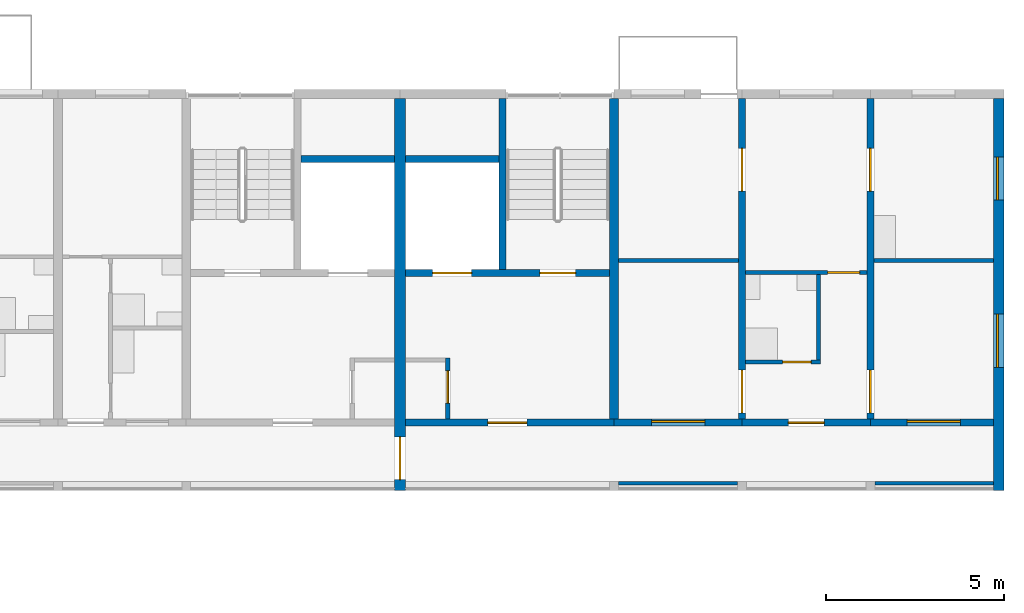
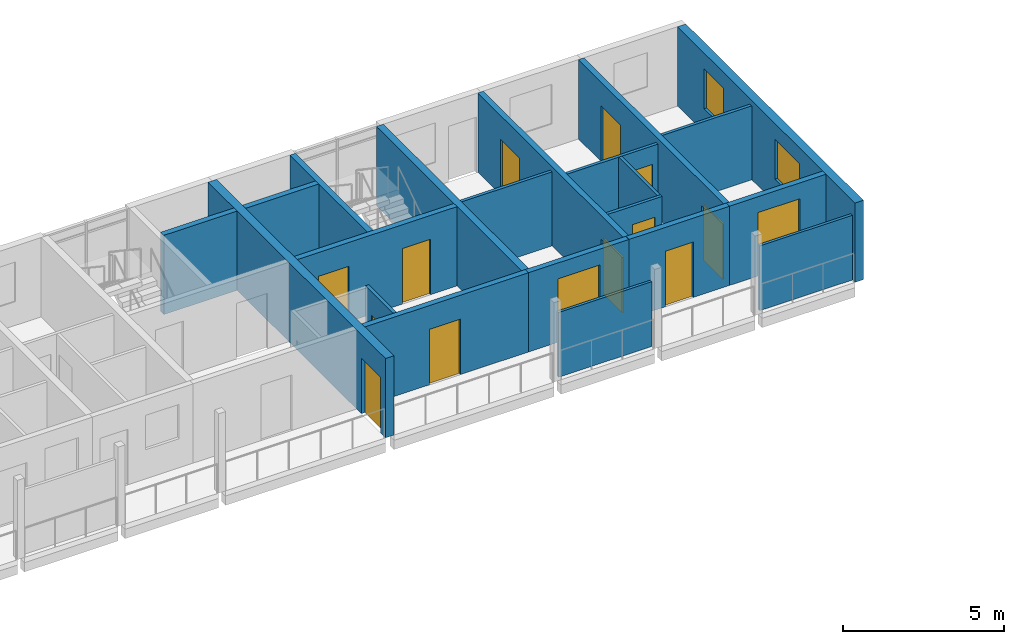
# One storey, part 59 of 100: 21 walls, 12 doors, 4 windows, 16 openings.
"""IFC4 building model written with IfcOpenShell, lengths in metres."""

from ifc_helpers import new_model, si_unit, direction, frame, frame_2d, origin, place, context, subcontext, project, spatial, rectangle, extrude, material, layer, layer_set, type_object, element, fill, save


model = new_model("IFC4")

# Units and contexts
model_context = context("Model", 3, precision=1e-05, world=origin(), true_north=direction((0.0, 1.0)))
body_context = subcontext(model_context, "Body", "Model", "MODEL_VIEW")
ifc_project = project(units=[si_unit("LENGTHUNIT", "METRE"), si_unit("AREAUNIT", "SQUARE_METRE"), si_unit("VOLUMEUNIT", "CUBIC_METRE"), si_unit("PLANEANGLEUNIT", "RADIAN"), si_unit("MASSUNIT", "GRAM", prefix="KILO")], contexts=[model_context])

# Site, building, storey
site_placement = place(None, origin())
site = spatial("IfcSite", under=ifc_project, at=site_placement, CompositionType="ELEMENT")
building_placement = place(site_placement, origin())
building = spatial("IfcBuilding", under=site, at=building_placement, Name="Ridgestep Commons", CompositionType="ELEMENT")
storey_placement = place(building_placement, frame((0.0, 0.0, 9.0)))
storey = spatial("IfcBuildingStorey", under=building, at=storey_placement, Name="L03", CompositionType="ELEMENT", Elevation=9.0)

# Wall
ifc_material_1 = material(Name="Concrete C30/37", Category="concrete")
ifc_layer_1 = layer(ifc_material_1, 0.25)
ifc_layer_set_1 = layer_set([ifc_layer_1], Name="Core cross wall 250")
wall_type_1 = type_object("IfcWallType", Name="Core cross wall 250", PredefinedType="SHEAR", material=ifc_layer_set_1)
wall_1_placement = place(storey_placement, frame((236.800048828125, 68.0, 0.0), z_axis=(0.0, 0.0, 1.0), x_axis=(0.0, 1.0, 0.0)))
element("IfcWall", 1, at=wall_1_placement, inside=storey, type_object=wall_type_1, Name="Cross wall C-03-2368", PredefinedType="SHEAR", context=body_context, shape_type="SweptSolid", body=[
    extrude(rectangle(XDim=9.0, YDim=0.25, at=frame_2d((4.5, 0.0))), origin(), (0.0, 0.0, 1.0), 3.0),
])

# Wall, opening, door
ifc_material_2 = material(Name="Concrete C30/37", Category="concrete")
ifc_layer_2 = layer(ifc_material_2, 0.199951171875)
ifc_layer_set_2 = layer_set([ifc_layer_2], Name="Core south wall 200")
wall_type_2 = type_object("IfcWallType", Name="Core south wall 200", PredefinedType="SHEAR", material=ifc_layer_set_2)
wall_2_placement = place(storey_placement, frame((230.949951171875, 67.89990234375, 0.0), z_axis=(0.0, 0.0, 1.0), x_axis=(1.0, 0.0, 0.0)))
wall_2 = element("IfcWall", 2, at=wall_2_placement, inside=storey, type_object=wall_type_2, Name="Core south wall C6C L03", PredefinedType="SHEAR", context=body_context, shape_type="SweptSolid", body=[
    extrude(rectangle(XDim=5.85009765625, YDim=0.199951171875, at=frame_2d((2.925048828125, 0.0))), origin(), (0.0, 0.0, 1.0), 3.0),
])
opening_1_placement = place(wall_2_placement, frame((2.3125, 0.0, 0.0)))
opening_1 = element("IfcOpeningElement", 3, at=opening_1_placement, cuts=wall_2, Name="Opening C6C/03/1", PredefinedType="OPENING", context=body_context, shape_type="SweptSolid", body=[
    extrude(rectangle(XDim=1.10009765625, YDim=2.10009765625, at=frame_2d((0.550048828125, 1.050048828125))), frame((0.0, 0.10986328125, 0.0), z_axis=(0.0, -1.0, 0.0), x_axis=(1.0, 0.0, 0.0)), (0.0, 0.0, 1.0), 0.219970703125),
])
ifc_material_3 = material(Name="Steel fire door", Category="steel")
door_type_1 = type_object("IfcDoorType", Name="Lobby door 1100 x 2100 FD60", OperationType="NOTDEFINED", PredefinedType="DOOR", material=ifc_material_3)
door_1_placement = place(opening_1_placement, origin())
door_1 = element("IfcDoor", 4, at=door_1_placement, inside=storey, type_object=door_type_1, Name="Lobby door C6C/03/1", OperationType="SINGLE_SWING_LEFT", OverallHeight=2.10009765625, OverallWidth=1.10009765625, PredefinedType="DOOR", context=body_context, shape_type="SweptSolid", body=[
    extrude(rectangle(XDim=1.10009765625, YDim=2.10009765625, at=frame_2d((0.550048828125, 1.050048828125))), frame((0.0, 0.02490234375, 0.0), z_axis=(0.0, -1.0, 0.0), x_axis=(1.0, 0.0, 0.0)), (0.0, 0.0, 1.0), 0.050048828125),
])
fill(opening_1, door_1)

ifc_material_4 = material(Name="Concrete C30/37", Category="concrete")
ifc_layer_3 = layer(ifc_material_4, 0.1201171875)
ifc_layer_set_3 = layer_set([ifc_layer_3], Name="Core wall 120")
wall_type_3 = type_object("IfcWallType", Name="Core wall 120", PredefinedType="SHEAR", material=ifc_layer_set_3)
wall_3_placement = place(storey_placement, frame((232.139892578125, 68.0, 0.0), z_axis=(0.0, 0.0, 1.0), x_axis=(0.0, 1.0, 0.0)))
wall_3 = element("IfcWall", 5, at=wall_3_placement, inside=storey, type_object=wall_type_3, Name="Core riser w wall C6C L03", PredefinedType="SHEAR", context=body_context, shape_type="SweptSolid", body=[
    extrude(rectangle(XDim=1.719970703125, YDim=0.1201171875, at=frame_2d((0.85986328125, 0.0))), origin(), (0.0, 0.0, 1.0), 3.0),
])
opening_2_placement = place(wall_3_placement, frame((0.449951171875, 0.0, 0.0)))
opening_2 = element("IfcOpeningElement", 6, at=opening_2_placement, cuts=wall_3, Name="Opening C6C/03/4", PredefinedType="OPENING", context=body_context, shape_type="SweptSolid", body=[
    extrude(rectangle(XDim=0.89990234375, YDim=2.10009765625, at=frame_2d((0.449951171875, 1.050048828125))), frame((0.0, 0.070068359375, 0.0), z_axis=(0.0, -1.0, 0.0), x_axis=(1.0, 0.0, 0.0)), (0.0, 0.0, 1.0), 0.14013671875),
])
ifc_material_5 = material(Name="Steel fire door", Category="steel")
door_type_2 = type_object("IfcDoorType", Name="Riser door 900 x 2100 FD60", OperationType="NOTDEFINED", PredefinedType="DOOR", material=ifc_material_5)
door_2_placement = place(opening_2_placement, origin())
door_2 = element("IfcDoor", 7, at=door_2_placement, inside=storey, type_object=door_type_2, Name="Riser door C6C/03/4", OperationType="SINGLE_SWING_RIGHT", OverallHeight=2.10009765625, OverallWidth=0.89990234375, PredefinedType="DOOR", context=body_context, shape_type="SweptSolid", body=[
    extrude(rectangle(XDim=0.89990234375, YDim=2.10009765625, at=frame_2d((0.449951171875, 1.050048828125))), frame((0.0, 0.02490234375, 0.0), z_axis=(0.0, -1.0, 0.0), x_axis=(1.0, 0.0, 0.0)), (0.0, 0.0, 1.0), 0.050048828125),
])
fill(opening_2, door_2)

# Wall
ifc_material_6 = material(Name="Concrete C30/37", Category="concrete")
ifc_layer_4 = layer(ifc_material_6, 0.199951171875)
ifc_layer_set_4 = layer_set([ifc_layer_4], Name="Core wall 200")
wall_type_4 = type_object("IfcWallType", Name="Core wall 200", PredefinedType="SHEAR", material=ifc_layer_set_4)
wall_4_placement = place(storey_placement, frame((228.02490234375, 75.300048828125, 0.0), z_axis=(0.0, 0.0, 1.0), x_axis=(1.0, 0.0, 0.0)))
element("IfcWall", 8, at=wall_4_placement, inside=storey, type_object=wall_type_4, Name="Core duct wall C5C L03", PredefinedType="SHEAR", context=body_context, shape_type="SweptSolid", body=[
    extrude(rectangle(XDim=2.625, YDim=0.199951171875, at=frame_2d((1.3125, 0.0))), origin(), (0.0, 0.0, 1.0), 3.0),
])

# Wall, openings, doors
wall_5_placement = place(storey_placement, frame((230.949951171875, 72.10009765625, 0.0), z_axis=(0.0, 0.0, 1.0), x_axis=(1.0, 0.0, 0.0)))
wall_5 = element("IfcWall", 9, at=wall_5_placement, inside=storey, type_object=wall_type_4, Name="Core lobby wall C6C L03", PredefinedType="SHEAR", context=body_context, shape_type="SweptSolid", body=[
    extrude(rectangle(XDim=5.72509765625, YDim=0.199951171875, at=frame_2d((2.862548828125, 0.0))), origin(), (0.0, 0.0, 1.0), 3.0),
])
opening_3_placement = place(wall_5_placement, frame((3.77490234375, 0.0, 0.0)))
opening_3 = element("IfcOpeningElement", 10, at=opening_3_placement, cuts=wall_5, Name="Opening C6C/03/2", PredefinedType="OPENING", context=body_context, shape_type="SweptSolid", body=[
    extrude(rectangle(XDim=1.0, YDim=2.10009765625, at=frame_2d((0.5, 1.050048828125))), frame((0.0, 0.10986328125, 0.0), z_axis=(0.0, -1.0, 0.0), x_axis=(1.0, 0.0, 0.0)), (0.0, 0.0, 1.0), 0.219970703125),
])
opening_4_placement = place(wall_5_placement, frame((0.762451171875, 0.0, 0.0)))
opening_4 = element("IfcOpeningElement", 11, at=opening_4_placement, cuts=wall_5, Name="Opening C6C/03/3", PredefinedType="OPENING", context=body_context, shape_type="SweptSolid", body=[
    extrude(rectangle(XDim=1.10009765625, YDim=2.10009765625, at=frame_2d((0.550048828125, 1.050048828125))), frame((0.0, 0.10986328125, 0.0), z_axis=(0.0, -1.0, 0.0), x_axis=(1.0, 0.0, 0.0)), (0.0, 0.0, 1.0), 0.219970703125),
])
ifc_material_7 = material(Name="Stainless steel", Category="steel")
door_type_3 = type_object("IfcDoorType", Name="Lift landing door 1100 x 2100 FD60", OperationType="DOUBLE_DOOR_SLIDING", PredefinedType="DOOR", material=ifc_material_7)
door_3_placement = place(opening_4_placement, origin())
door_3 = element("IfcDoor", 12, at=door_3_placement, inside=storey, type_object=door_type_3, Name="Landing door LD C6C L03", OperationType="DOUBLE_DOOR_SLIDING", OverallHeight=2.10009765625, OverallWidth=1.10009765625, PredefinedType="DOOR", context=body_context, shape_type="SweptSolid", body=[
    extrude(rectangle(XDim=1.10009765625, YDim=2.10009765625, at=frame_2d((0.550048828125, 1.050048828125))), frame((0.0, 0.02490234375, 0.0), z_axis=(0.0, -1.0, 0.0), x_axis=(1.0, 0.0, 0.0)), (0.0, 0.0, 1.0), 0.050048828125),
])
fill(opening_4, door_3)
ifc_material_8 = material(Name="Steel fire door", Category="steel")
door_type_4 = type_object("IfcDoorType", Name="Stair door 1000 x 2100 FD60", OperationType="NOTDEFINED", PredefinedType="DOOR", material=ifc_material_8)
door_4_placement = place(opening_3_placement, origin())
door_4 = element("IfcDoor", 13, at=door_4_placement, inside=storey, type_object=door_type_4, Name="Stair door C6C/03/2", OperationType="SINGLE_SWING_RIGHT", OverallHeight=2.10009765625, OverallWidth=1.0, PredefinedType="DOOR", context=body_context, shape_type="SweptSolid", body=[
    extrude(rectangle(XDim=1.0, YDim=2.10009765625, at=frame_2d((0.5, 1.050048828125))), frame((0.0, 0.02490234375, 0.0), z_axis=(0.0, -1.0, 0.0), x_axis=(1.0, 0.0, 0.0)), (0.0, 0.0, 1.0), 0.050048828125),
])
fill(opening_3, door_4)

# Walls
wall_6_placement = place(storey_placement, frame((233.675048828125, 72.199951171875, 0.0), z_axis=(0.0, 0.0, 1.0), x_axis=(0.0, 1.0, 0.0)))
element("IfcWall", 14, at=wall_6_placement, inside=storey, type_object=wall_type_4, Name="Core stair wall C6C L03", PredefinedType="SHEAR", context=body_context, shape_type="SweptSolid", body=[
    extrude(rectangle(XDim=4.800048828125, YDim=0.199951171875, at=frame_2d((2.39990234375, 0.0))), origin(), (0.0, 0.0, 1.0), 3.0),
])
wall_7_placement = place(storey_placement, frame((230.949951171875, 75.300048828125, 0.0), z_axis=(0.0, 0.0, 1.0), x_axis=(1.0, 0.0, 0.0)))
element("IfcWall", 15, at=wall_7_placement, inside=storey, type_object=wall_type_4, Name="Core duct wall C6C L03", PredefinedType="SHEAR", context=body_context, shape_type="SweptSolid", body=[
    extrude(rectangle(XDim=2.625, YDim=0.199951171875, at=frame_2d((1.3125, 0.0))), origin(), (0.0, 0.0, 1.0), 3.0),
])

# Wall, openings, doors
ifc_material_9 = material(Name="Precast concrete C40/50", Category="concrete")
ifc_layer_5 = layer(ifc_material_9, 0.199951171875)
ifc_layer_set_5 = layer_set([ifc_layer_5], Name="Cross wall 200")
wall_type_5 = type_object("IfcWallType", Name="Cross wall 200", PredefinedType="SHEAR", material=ifc_layer_set_5)
wall_8_placement = place(storey_placement, frame((240.39990234375, 68.0, 0.0), z_axis=(0.0, 0.0, 1.0), x_axis=(0.0, 1.0, 0.0)))
wall_8 = element("IfcWall", 16, at=wall_8_placement, inside=storey, type_object=wall_type_5, Name="Cross wall C-03-2404", PredefinedType="SHEAR", context=body_context, shape_type="SweptSolid", body=[
    extrude(rectangle(XDim=9.0, YDim=0.199951171875, at=frame_2d((4.5, 0.0))), origin(), (0.0, 0.0, 1.0), 3.0),
])
opening_5_placement = place(wall_8_placement, frame((0.175048828125, 0.0, 0.0)))
opening_5 = element("IfcOpeningElement", 17, at=opening_5_placement, cuts=wall_8, Name="Opening C6-03a/4", PredefinedType="OPENING", context=body_context, shape_type="SweptSolid", body=[
    extrude(rectangle(XDim=1.199951171875, YDim=2.10009765625, at=frame_2d((0.60009765625, 1.050048828125))), frame((0.0, 0.10986328125, 0.0), z_axis=(0.0, -1.0, 0.0), x_axis=(1.0, 0.0, 0.0)), (0.0, 0.0, 1.0), 0.219970703125),
])
opening_6_placement = place(wall_8_placement, frame((6.39990234375, 0.0, 0.0)))
opening_6 = element("IfcOpeningElement", 18, at=opening_6_placement, cuts=wall_8, Name="Opening C6-03a/5", PredefinedType="OPENING", context=body_context, shape_type="SweptSolid", body=[
    extrude(rectangle(XDim=1.199951171875, YDim=2.10009765625, at=frame_2d((0.60009765625, 1.050048828125))), frame((0.0, 0.10986328125, 0.0), z_axis=(0.0, -1.0, 0.0), x_axis=(1.0, 0.0, 0.0)), (0.0, 0.0, 1.0), 0.219970703125),
])
ifc_material_10 = material(Name="Timber door leaf", Category="wood")
door_type_5 = type_object("IfcDoorType", Name="Double door 1200 x 2100", OperationType="DOUBLE_DOOR_SINGLE_SWING", PredefinedType="DOOR", material=ifc_material_10)
door_5_placement = place(opening_5_placement, origin())
door_5 = element("IfcDoor", 19, at=door_5_placement, inside=storey, type_object=door_type_5, Name="Double door C6-03a/4", OperationType="DOUBLE_DOOR_SINGLE_SWING", OverallHeight=2.10009765625, OverallWidth=1.199951171875, PredefinedType="DOOR", context=body_context, shape_type="SweptSolid", body=[
    extrude(rectangle(XDim=1.199951171875, YDim=2.10009765625, at=frame_2d((0.60009765625, 1.050048828125))), frame((0.0, 0.02490234375, 0.0), z_axis=(0.0, -1.0, 0.0), x_axis=(1.0, 0.0, 0.0)), (0.0, 0.0, 1.0), 0.050048828125),
])
fill(opening_5, door_5)
door_6_placement = place(opening_6_placement, origin())
door_6 = element("IfcDoor", 20, at=door_6_placement, inside=storey, type_object=door_type_5, Name="Double door C6-03a/5", OperationType="DOUBLE_DOOR_SINGLE_SWING", OverallHeight=2.10009765625, OverallWidth=1.199951171875, PredefinedType="DOOR", context=body_context, shape_type="SweptSolid", body=[
    extrude(rectangle(XDim=1.199951171875, YDim=2.10009765625, at=frame_2d((0.60009765625, 1.050048828125))), frame((0.0, 0.02490234375, 0.0), z_axis=(0.0, -1.0, 0.0), x_axis=(1.0, 0.0, 0.0)), (0.0, 0.0, 1.0), 0.050048828125),
])
fill(opening_6, door_6)

wall_9_placement = place(storey_placement, frame((244.0, 68.0, 0.0), z_axis=(0.0, 0.0, 1.0), x_axis=(0.0, 1.0, 0.0)))
wall_9 = element("IfcWall", 21, at=wall_9_placement, inside=storey, type_object=wall_type_5, Name="Cross wall C-03-2440", PredefinedType="SHEAR", context=body_context, shape_type="SweptSolid", body=[
    extrude(rectangle(XDim=9.0, YDim=0.199951171875, at=frame_2d((4.5, 0.0))), origin(), (0.0, 0.0, 1.0), 3.0),
])
opening_7_placement = place(wall_9_placement, frame((0.175048828125, 0.0, 0.0)))
opening_7 = element("IfcOpeningElement", 22, at=opening_7_placement, cuts=wall_9, Name="Opening C6-03a/6", PredefinedType="OPENING", context=body_context, shape_type="SweptSolid", body=[
    extrude(rectangle(XDim=1.199951171875, YDim=2.10009765625, at=frame_2d((0.60009765625, 1.050048828125))), frame((0.0, 0.10986328125, 0.0), z_axis=(0.0, -1.0, 0.0), x_axis=(1.0, 0.0, 0.0)), (0.0, 0.0, 1.0), 0.219970703125),
])
opening_8_placement = place(wall_9_placement, frame((6.39990234375, 0.0, 0.0)))
opening_8 = element("IfcOpeningElement", 23, at=opening_8_placement, cuts=wall_9, Name="Opening C6-03a/7", PredefinedType="OPENING", context=body_context, shape_type="SweptSolid", body=[
    extrude(rectangle(XDim=1.199951171875, YDim=2.10009765625, at=frame_2d((0.60009765625, 1.050048828125))), frame((0.0, 0.10986328125, 0.0), z_axis=(0.0, -1.0, 0.0), x_axis=(1.0, 0.0, 0.0)), (0.0, 0.0, 1.0), 0.219970703125),
])
door_7_placement = place(opening_7_placement, origin())
door_7 = element("IfcDoor", 24, at=door_7_placement, inside=storey, type_object=door_type_5, Name="Double door C6-03a/6", OperationType="DOUBLE_DOOR_SINGLE_SWING", OverallHeight=2.10009765625, OverallWidth=1.199951171875, PredefinedType="DOOR", context=body_context, shape_type="SweptSolid", body=[
    extrude(rectangle(XDim=1.199951171875, YDim=2.10009765625, at=frame_2d((0.60009765625, 1.050048828125))), frame((0.0, 0.02490234375, 0.0), z_axis=(0.0, -1.0, 0.0), x_axis=(1.0, 0.0, 0.0)), (0.0, 0.0, 1.0), 0.050048828125),
])
fill(opening_7, door_7)
door_8_placement = place(opening_8_placement, origin())
door_8 = element("IfcDoor", 25, at=door_8_placement, inside=storey, type_object=door_type_5, Name="Double door C6-03a/7", OperationType="DOUBLE_DOOR_SINGLE_SWING", OverallHeight=2.10009765625, OverallWidth=1.199951171875, PredefinedType="DOOR", context=body_context, shape_type="SweptSolid", body=[
    extrude(rectangle(XDim=1.199951171875, YDim=2.10009765625, at=frame_2d((0.60009765625, 1.050048828125))), frame((0.0, 0.02490234375, 0.0), z_axis=(0.0, -1.0, 0.0), x_axis=(1.0, 0.0, 0.0)), (0.0, 0.0, 1.0), 0.050048828125),
])
fill(opening_8, door_8)

# Wall, opening, door
ifc_material_11 = material(Name="Precast concrete C40/50", Category="concrete")
ifc_layer_6 = layer(ifc_material_11, 0.300048828125)
ifc_layer_set_6 = layer_set([ifc_layer_6], Name="Division wall 300")
wall_type_6 = type_object("IfcWallType", Name="Division wall 300", PredefinedType="SHEAR", material=ifc_layer_set_6)
wall_10_placement = place(storey_placement, frame((230.800048828125, 66.0, 0.0), z_axis=(0.0, 0.0, 1.0), x_axis=(0.0, 1.0, 0.0)))
wall_10 = element("IfcWall", 26, at=wall_10_placement, inside=storey, type_object=wall_type_6, Name="Cross wall C-03-2308", PredefinedType="SHEAR", context=body_context, shape_type="SweptSolid", body=[
    extrude(rectangle(XDim=11.0, YDim=0.300048828125, at=frame_2d((5.5, 0.0))), origin(), (0.0, 0.0, 1.0), 3.0),
])
opening_9_placement = place(wall_10_placement, frame((0.300048828125, 0.0, 0.0)))
opening_9 = element("IfcOpeningElement", 27, at=opening_9_placement, cuts=wall_10, Name="Opening C/03/G2308", PredefinedType="OPENING", context=body_context, shape_type="SweptSolid", body=[
    extrude(rectangle(XDim=1.199951171875, YDim=2.10009765625, at=frame_2d((0.60009765625, 1.050048828125))), frame((0.0, 0.159912109375, 0.0), z_axis=(0.0, -1.0, 0.0), x_axis=(1.0, 0.0, 0.0)), (0.0, 0.0, 1.0), 0.320068359375),
])
ifc_material_12 = material(Name="Steel fire door", Category="steel")
door_type_6 = type_object("IfcDoorType", Name="Division fire door 1200 x 2100 EI 240", OperationType="DOUBLE_DOOR_SINGLE_SWING", PredefinedType="DOOR", material=ifc_material_12)
door_9_placement = place(opening_9_placement, origin())
door_9 = element("IfcDoor", 28, at=door_9_placement, inside=storey, type_object=door_type_6, Name="Division fire door C/03/G2308", OperationType="DOUBLE_DOOR_SINGLE_SWING", OverallHeight=2.10009765625, OverallWidth=1.199951171875, PredefinedType="DOOR", context=body_context, shape_type="SweptSolid", body=[
    extrude(rectangle(XDim=1.199951171875, YDim=2.10009765625, at=frame_2d((0.60009765625, 1.050048828125))), frame((0.0, 0.02490234375, 0.0), z_axis=(0.0, -1.0, 0.0), x_axis=(1.0, 0.0, 0.0)), (0.0, 0.0, 1.0), 0.050048828125),
])
fill(opening_9, door_9)

# Wall, openings, windows
ifc_material_13 = material(Name="Precast concrete C40/50", Category="concrete")
ifc_layer_7 = layer(ifc_material_13, 0.300048828125)
ifc_layer_set_7 = layer_set([ifc_layer_7], Name="Exposed division wall 300")
wall_type_7 = type_object("IfcWallType", Name="Exposed division wall 300", PredefinedType="SHEAR", material=ifc_layer_set_7)
wall_11_placement = place(storey_placement, frame((247.60009765625, 66.0, 0.0), z_axis=(0.0, 0.0, 1.0), x_axis=(0.0, 1.0, 0.0)))
wall_11 = element("IfcWall", 29, at=wall_11_placement, inside=storey, type_object=wall_type_7, Name="Cross wall C-03-2476", PredefinedType="SHEAR", context=body_context, shape_type="SweptSolid", body=[
    extrude(rectangle(XDim=11.0, YDim=0.300048828125, at=frame_2d((5.5, 0.0))), origin(), (0.0, 0.0, 1.0), 3.0),
])
opening_10_placement = place(wall_11_placement, frame((3.449951171875, 0.0, 0.89990234375)))
opening_10 = element("IfcOpeningElement", 30, at=opening_10_placement, cuts=wall_11, Name="Opening W16", PredefinedType="OPENING", context=body_context, shape_type="SweptSolid", body=[
    extrude(rectangle(XDim=1.5, YDim=1.5, at=frame_2d((0.75, 0.75))), frame((0.0, 0.159912109375, 0.0), z_axis=(0.0, -1.0, 0.0), x_axis=(1.0, 0.0, 0.0)), (0.0, 0.0, 1.0), 0.320068359375),
])
opening_11_placement = place(wall_11_placement, frame((8.155029296875, 0.0, 0.89990234375)))
opening_11 = element("IfcOpeningElement", 31, at=opening_11_placement, cuts=wall_11, Name="Opening W10", PredefinedType="OPENING", context=body_context, shape_type="SweptSolid", body=[
    extrude(rectangle(XDim=1.199951171875, YDim=1.5, at=frame_2d((0.60009765625, 0.75))), frame((0.0, 0.159912109375, 0.0), z_axis=(0.0, -1.0, 0.0), x_axis=(1.0, 0.0, 0.0)), (0.0, 0.0, 1.0), 0.320068359375),
])
ifc_material_14 = material(Name="Aluminium 6063-T6 and glass", Category="aluminium")
window_type_1 = type_object("IfcWindowType", Name="Flat window 1200 x 1500", PartitioningType="SINGLE_PANEL", PredefinedType="WINDOW", material=ifc_material_14)
window_1_placement = place(opening_11_placement, origin())
window_1 = element("IfcWindow", 32, at=window_1_placement, inside=storey, type_object=window_type_1, Name="Window C6-03a 7", OverallHeight=1.5, OverallWidth=1.199951171875, PartitioningType="SINGLE_PANEL", PredefinedType="WINDOW", context=body_context, shape_type="SweptSolid", body=[
    extrude(rectangle(XDim=1.199951171875, YDim=1.5, at=frame_2d((0.60009765625, 0.75))), frame((0.0, 0.06005859375, 0.0), z_axis=(0.0, -1.0, 0.0), x_axis=(1.0, 0.0, 0.0)), (0.0, 0.0, 1.0), 0.06005859375),
])
fill(opening_11, window_1)
ifc_material_15 = material(Name="Aluminium 6063-T6 and glass", Category="aluminium")
window_type_2 = type_object("IfcWindowType", Name="Flat window 1500 x 1500", PartitioningType="DOUBLE_PANEL_VERTICAL", PredefinedType="WINDOW", material=ifc_material_15)
window_2_placement = place(opening_10_placement, origin())
window_2 = element("IfcWindow", 33, at=window_2_placement, inside=storey, type_object=window_type_2, Name="Window C6-03a 6", OverallHeight=1.5, OverallWidth=1.5, PartitioningType="SINGLE_PANEL", PredefinedType="WINDOW", context=body_context, shape_type="SweptSolid", body=[
    extrude(rectangle(XDim=1.5, YDim=1.5, at=frame_2d((0.75, 0.75))), frame((0.0, 0.06005859375, 0.0), z_axis=(0.0, -1.0, 0.0), x_axis=(1.0, 0.0, 0.0)), (0.0, 0.0, 1.0), 0.06005859375),
])
fill(opening_10, window_2)

# Wall, opening, door
ifc_material_16 = material(Name="Common brick 110 mm", Category="masonry")
ifc_layer_8 = layer(ifc_material_16, 0.110107421875)
ifc_layer_set_8 = layer_set([ifc_layer_8], Name="Partition 110")
wall_type_8 = type_object("IfcWallType", Name="Partition 110", PredefinedType="PARTITIONING", material=ifc_layer_set_8)
wall_12_placement = place(storey_placement, frame((240.5, 69.60498046875, 0.0), z_axis=(0.0, 0.0, 1.0), x_axis=(1.0, 0.0, 0.0)))
wall_12 = element("IfcWall", 34, at=wall_12_placement, inside=storey, type_object=wall_type_8, Name="Partition C6-03a", PredefinedType="PARTITIONING", context=body_context, shape_type="SweptSolid", body=[
    extrude(rectangle(XDim=2.10009765625, YDim=0.110107421875, at=frame_2d((1.050048828125, 0.0))), origin(), (0.0, 0.0, 1.0), 2.800048828125),
])
opening_12_placement = place(wall_12_placement, frame((1.0400390625, 0.0, 0.0)))
opening_12 = element("IfcOpeningElement", 35, at=opening_12_placement, cuts=wall_12, Name="Opening C6-03a/2", PredefinedType="OPENING", context=body_context, shape_type="SweptSolid", body=[
    extrude(rectangle(XDim=0.800048828125, YDim=2.10009765625, at=frame_2d((0.39990234375, 1.050048828125))), frame((0.0, 0.06494140625, 0.0), z_axis=(0.0, -1.0, 0.0), x_axis=(1.0, 0.0, 0.0)), (0.0, 0.0, 1.0), 0.130126953125),
])
ifc_material_17 = material(Name="Timber door leaf", Category="wood")
door_type_7 = type_object("IfcDoorType", Name="Internal door 800 x 2100", OperationType="NOTDEFINED", PredefinedType="DOOR", material=ifc_material_17)
door_10_placement = place(opening_12_placement, origin())
door_10 = element("IfcDoor", 36, at=door_10_placement, inside=storey, type_object=door_type_7, Name="Internal door C6-03a/2", OperationType="SINGLE_SWING_RIGHT", OverallHeight=2.10009765625, OverallWidth=0.800048828125, PredefinedType="DOOR", context=body_context, shape_type="SweptSolid", body=[
    extrude(rectangle(XDim=0.800048828125, YDim=2.10009765625, at=frame_2d((0.39990234375, 1.050048828125))), frame((0.0, 0.02490234375, 0.0), z_axis=(0.0, -1.0, 0.0), x_axis=(1.0, 0.0, 0.0)), (0.0, 0.0, 1.0), 0.050048828125),
])
fill(opening_12, door_10)

# Wall
wall_13_placement = place(storey_placement, frame((242.544921875, 69.659912109375, 0.0), z_axis=(0.0, 0.0, 1.0), x_axis=(0.0, 1.0, 0.0)))
element("IfcWall", 37, at=wall_13_placement, inside=storey, type_object=wall_type_8, Name="Partition C6-03a", PredefinedType="PARTITIONING", context=body_context, shape_type="SweptSolid", body=[
    extrude(rectangle(XDim=2.400146484375, YDim=0.110107421875, at=frame_2d((1.2001953125, 0.0))), origin(), (0.0, 0.0, 1.0), 2.800048828125),
])

# Wall, opening, door
wall_14_placement = place(storey_placement, frame((240.5, 72.114990234375, 0.0), z_axis=(0.0, 0.0, 1.0), x_axis=(1.0, 0.0, 0.0)))
wall_14 = element("IfcWall", 38, at=wall_14_placement, inside=storey, type_object=wall_type_8, Name="Partition C6-03a", PredefinedType="PARTITIONING", context=body_context, shape_type="SweptSolid", body=[
    extrude(rectangle(XDim=3.39990234375, YDim=0.110107421875, at=frame_2d((1.699951171875, 0.0))), origin(), (0.0, 0.0, 1.0), 2.800048828125),
])
opening_13_placement = place(wall_14_placement, frame((2.300048828125, 0.0, 0.0)))
opening_13 = element("IfcOpeningElement", 39, at=opening_13_placement, cuts=wall_14, Name="Opening C6-03a/3", PredefinedType="OPENING", context=body_context, shape_type="SweptSolid", body=[
    extrude(rectangle(XDim=0.89990234375, YDim=2.10009765625, at=frame_2d((0.449951171875, 1.050048828125))), frame((0.0, 0.06494140625, 0.0), z_axis=(0.0, -1.0, 0.0), x_axis=(1.0, 0.0, 0.0)), (0.0, 0.0, 1.0), 0.130126953125),
])
ifc_material_18 = material(Name="Timber door leaf", Category="wood")
door_type_8 = type_object("IfcDoorType", Name="Internal door 900 x 2100", OperationType="NOTDEFINED", PredefinedType="DOOR", material=ifc_material_18)
door_11_placement = place(opening_13_placement, origin())
door_11 = element("IfcDoor", 40, at=door_11_placement, inside=storey, type_object=door_type_8, Name="Internal door C6-03a/3", OperationType="SINGLE_SWING_LEFT", OverallHeight=2.10009765625, OverallWidth=0.89990234375, PredefinedType="DOOR", context=body_context, shape_type="SweptSolid", body=[
    extrude(rectangle(XDim=0.89990234375, YDim=2.10009765625, at=frame_2d((0.449951171875, 1.050048828125))), frame((0.0, 0.02490234375, 0.0), z_axis=(0.0, -1.0, 0.0), x_axis=(1.0, 0.0, 0.0)), (0.0, 0.0, 1.0), 0.050048828125),
])
fill(opening_13, door_11)

# Walls
wall_15_placement = place(storey_placement, frame((236.925048828125, 72.455078125, 0.0), z_axis=(0.0, 0.0, 1.0), x_axis=(1.0, 0.0, 0.0)))
element("IfcWall", 41, at=wall_15_placement, inside=storey, type_object=wall_type_8, Name="Partition C6-03a", PredefinedType="PARTITIONING", context=body_context, shape_type="SweptSolid", body=[
    extrude(rectangle(XDim=3.375, YDim=0.110107421875, at=frame_2d((1.6875, 0.0))), origin(), (0.0, 0.0, 1.0), 2.800048828125),
])
wall_16_placement = place(storey_placement, frame((244.10009765625, 72.455078125, 0.0), z_axis=(0.0, 0.0, 1.0), x_axis=(1.0, 0.0, 0.0)))
element("IfcWall", 42, at=wall_16_placement, inside=storey, type_object=wall_type_8, Name="Partition C6-03a", PredefinedType="PARTITIONING", context=body_context, shape_type="SweptSolid", body=[
    extrude(rectangle(XDim=3.349853515625, YDim=0.110107421875, at=frame_2d((1.6748046875, 0.0))), origin(), (0.0, 0.0, 1.0), 2.800048828125),
])
ifc_material_19 = material(Name="Precast concrete C30/37", Category="concrete")
ifc_layer_9 = layer(ifc_material_19, 0.10009765625)
ifc_layer_set_9 = layer_set([ifc_layer_9], Name="Perforated gallery screen 3325 x 2450 x 100")
wall_type_9 = type_object("IfcWallType", Name="Perforated gallery screen 3325 x 2450 x 100", PredefinedType="SOLIDWALL", material=ifc_layer_set_9)
wall_17_placement = place(storey_placement, frame((244.125, 66.199951171875, 0.0), z_axis=(0.0, 0.0, 1.0), x_axis=(1.0, 0.0, 0.0)))
element("IfcWall", 43, at=wall_17_placement, inside=storey, type_object=wall_type_9, Name="Gallery screen C6T1 03", PredefinedType="SOLIDWALL", context=body_context, shape_type="SweptSolid", body=[
    extrude(rectangle(XDim=3.324951171875, YDim=0.10009765625, at=frame_2d((1.66259765625, 0.0))), origin(), (0.0, 0.0, 1.0), 2.449951171875),
])
ifc_material_20 = material(Name="Precast concrete C30/37", Category="concrete")
ifc_layer_10 = layer(ifc_material_20, 0.10009765625)
ifc_layer_set_10 = layer_set([ifc_layer_10], Name="Perforated gallery screen 3350 x 2450 x 100")
wall_type_10 = type_object("IfcWallType", Name="Perforated gallery screen 3350 x 2450 x 100", PredefinedType="SOLIDWALL", material=ifc_layer_set_10)
wall_18_placement = place(storey_placement, frame((236.925048828125, 66.199951171875, 0.0), z_axis=(0.0, 0.0, 1.0), x_axis=(1.0, 0.0, 0.0)))
element("IfcWall", 44, at=wall_18_placement, inside=storey, type_object=wall_type_10, Name="Gallery screen C6T3 03", PredefinedType="SOLIDWALL", context=body_context, shape_type="SweptSolid", body=[
    extrude(rectangle(XDim=3.349853515625, YDim=0.10009765625, at=frame_2d((1.6748046875, 0.0))), origin(), (0.0, 0.0, 1.0), 2.449951171875),
])

# Wall, opening, window
ifc_material_21 = material(Name="Precast concrete C40/50", Category="concrete")
ifc_layer_11 = layer(ifc_material_21, 0.199951171875)
ifc_layer_set_11 = layer_set([ifc_layer_11], Name="South facade panel 200")
wall_type_11 = type_object("IfcWallType", Name="South facade panel 200", PredefinedType="SOLIDWALL", material=ifc_layer_set_11)
wall_19_placement = place(storey_placement, frame((236.800048828125, 67.89990234375, 0.0), z_axis=(0.0, 0.0, 1.0), x_axis=(1.0, 0.0, 0.0)))
wall_19 = element("IfcWall", 45, at=wall_19_placement, inside=storey, type_object=wall_type_11, Name="South panel C6T3 L03", PredefinedType="SOLIDWALL", context=body_context, shape_type="SweptSolid", body=[
    extrude(rectangle(XDim=3.599853515625, YDim=0.199951171875, at=frame_2d((1.7998046875, 0.0))), origin(), (0.0, 0.0, 1.0), 3.0),
])
opening_14_placement = place(wall_19_placement, frame((1.0625, 0.0, 0.89990234375)))
opening_14 = element("IfcOpeningElement", 46, at=opening_14_placement, cuts=wall_19, Name="Opening W16", PredefinedType="OPENING", context=body_context, shape_type="SweptSolid", body=[
    extrude(rectangle(XDim=1.5, YDim=1.5, at=frame_2d((0.75, 0.75))), frame((0.0, 0.10986328125, 0.0), z_axis=(0.0, -1.0, 0.0), x_axis=(1.0, 0.0, 0.0)), (0.0, 0.0, 1.0), 0.219970703125),
])
window_3_placement = place(opening_14_placement, origin())
window_3 = element("IfcWindow", 47, at=window_3_placement, inside=storey, type_object=window_type_2, Name="Window C6-03a 1", OverallHeight=1.5, OverallWidth=1.5, PartitioningType="SINGLE_PANEL", PredefinedType="WINDOW", context=body_context, shape_type="SweptSolid", body=[
    extrude(rectangle(XDim=1.5, YDim=1.5, at=frame_2d((0.75, 0.75))), frame((0.0, 0.06005859375, 0.0), z_axis=(0.0, -1.0, 0.0), x_axis=(1.0, 0.0, 0.0)), (0.0, 0.0, 1.0), 0.06005859375),
])
fill(opening_14, window_3)

# Wall, opening, door
wall_20_placement = place(storey_placement, frame((240.39990234375, 67.89990234375, 0.0), z_axis=(0.0, 0.0, 1.0), x_axis=(1.0, 0.0, 0.0)))
wall_20 = element("IfcWall", 48, at=wall_20_placement, inside=storey, type_object=wall_type_11, Name="South panel C6T2 L03", PredefinedType="SOLIDWALL", context=body_context, shape_type="SweptSolid", body=[
    extrude(rectangle(XDim=3.60009765625, YDim=0.199951171875, at=frame_2d((1.800048828125, 0.0))), origin(), (0.0, 0.0, 1.0), 3.0),
])
opening_15_placement = place(wall_20_placement, frame((1.300048828125, 0.0, 0.0)))
opening_15 = element("IfcOpeningElement", 49, at=opening_15_placement, cuts=wall_20, Name="Opening C6-03a/1", PredefinedType="OPENING", context=body_context, shape_type="SweptSolid", body=[
    extrude(rectangle(XDim=1.0, YDim=2.10009765625, at=frame_2d((0.5, 1.050048828125))), frame((0.0, 0.10986328125, 0.0), z_axis=(0.0, -1.0, 0.0), x_axis=(1.0, 0.0, 0.0)), (0.0, 0.0, 1.0), 0.219970703125),
])
ifc_material_22 = material(Name="Timber door leaf", Category="wood")
door_type_9 = type_object("IfcDoorType", Name="Flat entrance door 1000 x 2100 FD30S", OperationType="NOTDEFINED", PredefinedType="DOOR", material=ifc_material_22)
door_12_placement = place(opening_15_placement, origin())
door_12 = element("IfcDoor", 50, at=door_12_placement, inside=storey, type_object=door_type_9, Name="Flat entrance door C6-03a/1", OperationType="SINGLE_SWING_RIGHT", OverallHeight=2.10009765625, OverallWidth=1.0, PredefinedType="DOOR", context=body_context, shape_type="SweptSolid", body=[
    extrude(rectangle(XDim=1.0, YDim=2.10009765625, at=frame_2d((0.5, 1.050048828125))), frame((0.0, 0.02490234375, 0.0), z_axis=(0.0, -1.0, 0.0), x_axis=(1.0, 0.0, 0.0)), (0.0, 0.0, 1.0), 0.050048828125),
])
fill(opening_15, door_12)

# Wall, opening, window
wall_21_placement = place(storey_placement, frame((244.0, 67.89990234375, 0.0), z_axis=(0.0, 0.0, 1.0), x_axis=(1.0, 0.0, 0.0)))
wall_21 = element("IfcWall", 51, at=wall_21_placement, inside=storey, type_object=wall_type_11, Name="South panel C6T1 L03", PredefinedType="SOLIDWALL", context=body_context, shape_type="SweptSolid", body=[
    extrude(rectangle(XDim=3.449951171875, YDim=0.199951171875, at=frame_2d((1.72509765625, 0.0))), origin(), (0.0, 0.0, 1.0), 3.0),
])
opening_16_placement = place(wall_21_placement, frame((1.02490234375, 0.0, 0.89990234375)))
opening_16 = element("IfcOpeningElement", 52, at=opening_16_placement, cuts=wall_21, Name="Opening W16", PredefinedType="OPENING", context=body_context, shape_type="SweptSolid", body=[
    extrude(rectangle(XDim=1.5, YDim=1.5, at=frame_2d((0.75, 0.75))), frame((0.0, 0.10986328125, 0.0), z_axis=(0.0, -1.0, 0.0), x_axis=(1.0, 0.0, 0.0)), (0.0, 0.0, 1.0), 0.219970703125),
])
window_4_placement = place(opening_16_placement, origin())
window_4 = element("IfcWindow", 53, at=window_4_placement, inside=storey, type_object=window_type_2, Name="Window C6-03a 3", OverallHeight=1.5, OverallWidth=1.5, PartitioningType="SINGLE_PANEL", PredefinedType="WINDOW", context=body_context, shape_type="SweptSolid", body=[
    extrude(rectangle(XDim=1.5, YDim=1.5, at=frame_2d((0.75, 0.75))), frame((0.0, 0.06005859375, 0.0), z_axis=(0.0, -1.0, 0.0), x_axis=(1.0, 0.0, 0.0)), (0.0, 0.0, 1.0), 0.06005859375),
])
fill(opening_16, window_4)

save(model, "model.ifc")
